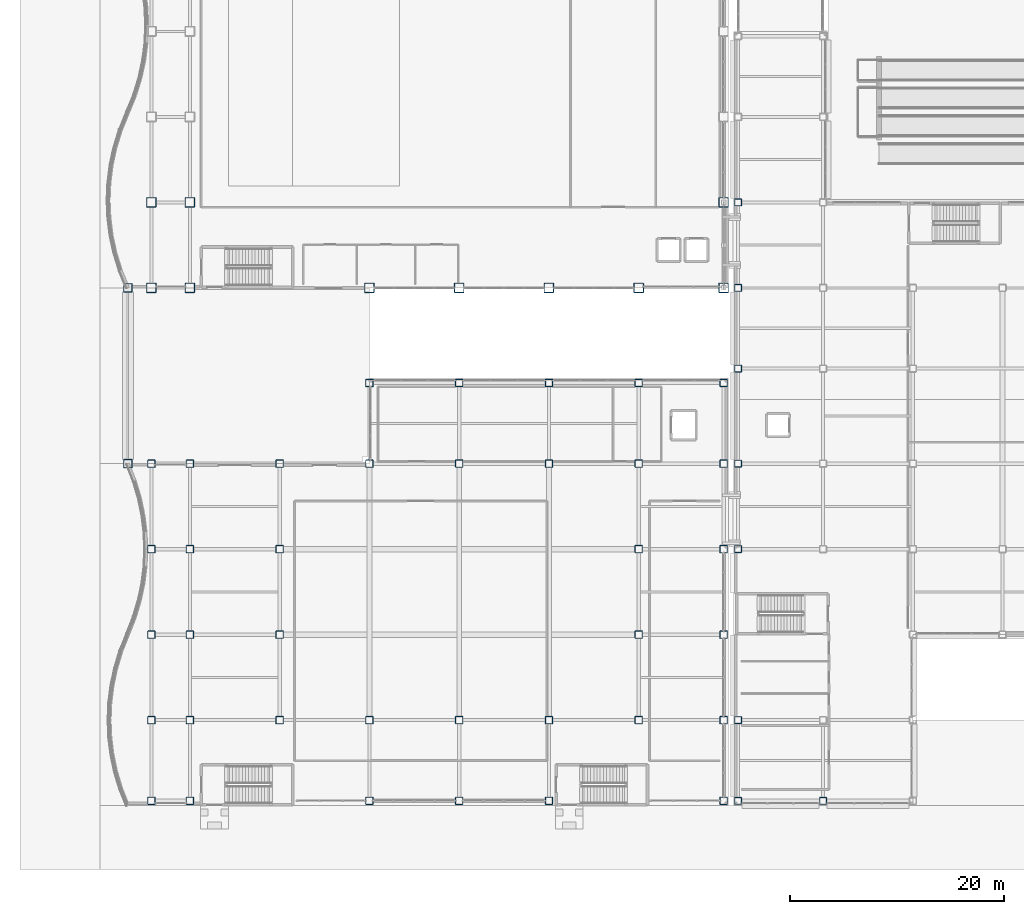
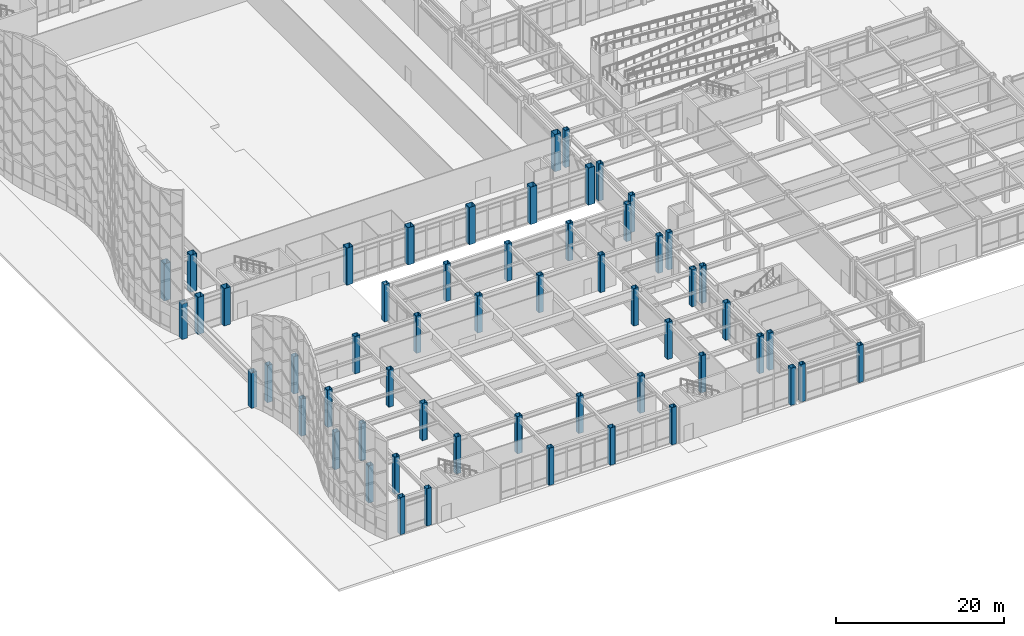
# One storey, part 2 of 165: 57 columns.
"""IFC4 building model written with IfcOpenShell, lengths in metres."""

from ifc_helpers import new_model, si_unit, direction, frame, origin, origin_2d, place, context, subcontext, project, spatial, hollow_rectangle, extrude, material, material_profile, profile_set, type_object, element, save


model = new_model("IFC4")

# Units and contexts
model_context = context("Model", 3, precision=1e-05, world=origin(), true_north=direction((0.0, 1.0)))
body_context = subcontext(model_context, "Body", "Model", "MODEL_VIEW")
ifc_project = project(units=[si_unit("LENGTHUNIT", "METRE"), si_unit("AREAUNIT", "SQUARE_METRE"), si_unit("VOLUMEUNIT", "CUBIC_METRE"), si_unit("PLANEANGLEUNIT", "RADIAN"), si_unit("MASSUNIT", "GRAM", prefix="KILO")], contexts=[model_context])

# Site, building, storey
site_placement = place(None, origin())
site = spatial("IfcSite", under=ifc_project, at=site_placement, CompositionType="ELEMENT")
building_placement = place(site_placement, origin())
building = spatial("IfcBuilding", under=site, at=building_placement, Name="Kazehara Bluff Congress Hotel", CompositionType="ELEMENT")
storey_placement = place(building_placement, origin())
storey = spatial("IfcBuildingStorey", under=building, at=storey_placement, Name="L00", CompositionType="ELEMENT", Elevation=0.0)

# Columns
ifc_material_1 = material(Name="Steel BCR295", Category="steel")
ifc_material_profile_1 = material_profile(ifc_material_1, hollow_rectangle(XDim=0.89990234375, YDim=0.89990234375, WallThickness=0.031982421875, InnerFilletRadius=0.031982421875, OuterFilletRadius=0.06396484375, at=origin_2d()))
ifc_profile_set_1 = profile_set([ifc_material_profile_1], Name="Steel BCR295")
column_type_1 = type_object("IfcColumnType", Name="TP-C-01", PredefinedType="COLUMN", material=ifc_profile_set_1)
for number, where, z_axis, x_axis, name in (
    (1, (4.800048828125, 48.449951171875, 0.0), (0.0, 0.0, 1.0), (1.0, 0.0, 0.0), "L00 mega-column C-01 (4.80,48.45)"),
    (2, (4.800048828125, 56.449951171875, 0.0), (0.0, 0.0, 1.0), (1.0, 0.0, 0.0), "L00 mega-column C-01 (4.80,56.45)"),
    (3, (8.39990234375, 48.449951171875, 0.0), (0.0, 0.0, 1.0), (1.0, 0.0, 0.0), "L00 mega-column C-01 (8.40,48.45)"),
    (4, (8.39990234375, 56.449951171875, 0.0), (0.0, 0.0, 1.0), (1.0, 0.0, 0.0), "L00 mega-column C-01 (8.40,56.45)"),
    (5, (25.199951171875, 48.449951171875, 0.0), (0.0, 0.0, 1.0), (1.0, 0.0, 0.0), "L00 mega-column C-01 (25.20,48.45)"),
    (6, (33.60009765625, 48.449951171875, 0.0), (0.0, 0.0, 1.0), (1.0, 0.0, 0.0), "L00 mega-column C-01 (33.60,48.45)"),
    (7, (42.0, 48.449951171875, 0.0), (0.0, 0.0, 1.0), (1.0, 0.0, 0.0), "L00 mega-column C-01 (42.00,48.45)"),
    (8, (50.39990234375, 48.449951171875, 0.0), (0.0, 0.0, 1.0), (1.0, 0.0, 0.0), "L00 mega-column C-01 (50.40,48.45)"),
    (9, (58.35009765625, 48.449951171875, 0.0), (0.0, 0.0, 1.0), (1.0, 0.0, 0.0), "L00 mega-column C-01 (58.35,48.45)"),
    (10, (58.35009765625, 56.449951171875, 0.0), (0.0, 0.0, 1.0), (1.0, 0.0, 0.0), "L00 mega-column C-01 (58.35,56.45)"),
):
    element("IfcColumn", number, at=place(storey_placement, frame(where, z_axis=z_axis, x_axis=x_axis)), inside=storey, type_object=column_type_1, Name=name, PredefinedType="COLUMN", context=body_context, shape_type="SweptSolid", body=[
        extrude(hollow_rectangle(XDim=0.89990234375, YDim=0.89990234375, WallThickness=0.031982421875, InnerFilletRadius=0.031982421875, OuterFilletRadius=0.06396484375, at=origin_2d()), origin(), (0.0, 0.0, 1.0), 5.39990234375),
    ])
ifc_material_2 = material(Name="Steel BCR295", Category="steel")
ifc_material_profile_2 = material_profile(ifc_material_2, hollow_rectangle(XDim=0.800048828125, YDim=0.800048828125, WallThickness=0.031982421875, InnerFilletRadius=0.031982421875, OuterFilletRadius=0.06396484375, at=origin_2d()))
ifc_profile_set_2 = profile_set([ifc_material_profile_2], Name="Steel BCR295")
column_type_2 = type_object("IfcColumnType", Name="TP-C-02", PredefinedType="COLUMN", material=ifc_profile_set_2)
for number, where, z_axis, x_axis, name in (
    (11, (2.60009765625, 32.0, 0.0), (0.0, 0.0, 1.0), (1.0, 0.0, 0.0), "L00 column C-02 (2.60,32.00)"),
    (12, (2.60009765625, 48.449951171875, 0.0), (0.0, 0.0, 1.0), (1.0, 0.0, 0.0), "L00 column C-02 (2.60,48.45)"),
):
    element("IfcColumn", number, at=place(storey_placement, frame(where, z_axis=z_axis, x_axis=x_axis)), inside=storey, type_object=column_type_2, Name=name, PredefinedType="COLUMN", context=body_context, shape_type="SweptSolid", body=[
        extrude(hollow_rectangle(XDim=0.800048828125, YDim=0.800048828125, WallThickness=0.031982421875, InnerFilletRadius=0.031982421875, OuterFilletRadius=0.06396484375, at=origin_2d()), origin(), (0.0, 0.0, 1.0), 5.14990234375),
    ])
ifc_material_3 = material(Name="Steel BCR295", Category="steel")
ifc_material_profile_3 = material_profile(ifc_material_3, hollow_rectangle(XDim=0.699951171875, YDim=0.699951171875, WallThickness=0.028076171875, InnerFilletRadius=0.028076171875, OuterFilletRadius=0.055908203125, at=origin_2d()))
ifc_profile_set_3 = profile_set([ifc_material_profile_3], Name="Steel BCR295")
column_type_3 = type_object("IfcColumnType", Name="TP-C-03", PredefinedType="COLUMN", material=ifc_profile_set_3)
for number, where, z_axis, x_axis, name in (
    (13, (4.800048828125, 0.449951171875, 0.0), (0.0, 0.0, 1.0), (1.0, 0.0, 0.0), "L00 column C-03 (4.80,0.45)"),
    (14, (4.800048828125, 8.0, 0.0), (0.0, 0.0, 1.0), (1.0, 0.0, 0.0), "L00 column C-03 (4.80,8.00)"),
    (15, (4.800048828125, 16.0, 0.0), (0.0, 0.0, 1.0), (1.0, 0.0, 0.0), "L00 column C-03 (4.80,16.00)"),
    (16, (4.800048828125, 24.0, 0.0), (0.0, 0.0, 1.0), (1.0, 0.0, 0.0), "L00 column C-03 (4.80,24.00)"),
    (17, (4.800048828125, 32.0, 0.0), (0.0, 0.0, 1.0), (1.0, 0.0, 0.0), "L00 column C-03 (4.80,32.00)"),
    (18, (8.39990234375, 0.449951171875, 0.0), (0.0, 0.0, 1.0), (1.0, 0.0, 0.0), "L00 column C-03 (8.40,0.45)"),
    (19, (8.39990234375, 8.0, 0.0), (0.0, 0.0, 1.0), (1.0, 0.0, 0.0), "L00 column C-03 (8.40,8.00)"),
    (20, (8.39990234375, 16.0, 0.0), (0.0, 0.0, 1.0), (1.0, 0.0, 0.0), "L00 column C-03 (8.40,16.00)"),
    (21, (8.39990234375, 24.0, 0.0), (0.0, 0.0, 1.0), (1.0, 0.0, 0.0), "L00 column C-03 (8.40,24.00)"),
    (22, (8.39990234375, 32.0, 0.0), (0.0, 0.0, 1.0), (1.0, 0.0, 0.0), "L00 column C-03 (8.40,32.00)"),
    (23, (16.800048828125, 8.0, 0.0), (0.0, 0.0, 1.0), (1.0, 0.0, 0.0), "L00 column C-03 (16.80,8.00)"),
    (24, (16.800048828125, 16.0, 0.0), (0.0, 0.0, 1.0), (1.0, 0.0, 0.0), "L00 column C-03 (16.80,16.00)"),
    (25, (16.800048828125, 24.0, 0.0), (0.0, 0.0, 1.0), (1.0, 0.0, 0.0), "L00 column C-03 (16.80,24.00)"),
    (26, (16.800048828125, 32.0, 0.0), (0.0, 0.0, 1.0), (1.0, 0.0, 0.0), "L00 column C-03 (16.80,32.00)"),
    (27, (25.199951171875, 0.449951171875, 0.0), (0.0, 0.0, 1.0), (1.0, 0.0, 0.0), "L00 column C-03 (25.20,0.45)"),
    (28, (25.199951171875, 8.0, 0.0), (0.0, 0.0, 1.0), (1.0, 0.0, 0.0), "L00 column C-03 (25.20,8.00)"),
    (29, (25.199951171875, 32.0, 0.0), (0.0, 0.0, 1.0), (1.0, 0.0, 0.0), "L00 column C-03 (25.20,32.00)"),
    (30, (25.199951171875, 39.550048828125, 0.0), (0.0, 0.0, 1.0), (1.0, 0.0, 0.0), "L00 column C-03 (25.20,39.55)"),
    (31, (33.60009765625, 0.449951171875, 0.0), (0.0, 0.0, 1.0), (1.0, 0.0, 0.0), "L00 column C-03 (33.60,0.45)"),
    (32, (33.60009765625, 8.0, 0.0), (0.0, 0.0, 1.0), (1.0, 0.0, 0.0), "L00 column C-03 (33.60,8.00)"),
    (33, (33.60009765625, 32.0, 0.0), (0.0, 0.0, 1.0), (1.0, 0.0, 0.0), "L00 column C-03 (33.60,32.00)"),
    (34, (33.60009765625, 39.550048828125, 0.0), (0.0, 0.0, 1.0), (1.0, 0.0, 0.0), "L00 column C-03 (33.60,39.55)"),
    (35, (42.0, 0.449951171875, 0.0), (0.0, 0.0, 1.0), (1.0, 0.0, 0.0), "L00 column C-03 (42.00,0.45)"),
    (36, (42.0, 8.0, 0.0), (0.0, 0.0, 1.0), (1.0, 0.0, 0.0), "L00 column C-03 (42.00,8.00)"),
    (37, (42.0, 32.0, 0.0), (0.0, 0.0, 1.0), (1.0, 0.0, 0.0), "L00 column C-03 (42.00,32.00)"),
    (38, (42.0, 39.550048828125, 0.0), (0.0, 0.0, 1.0), (1.0, 0.0, 0.0), "L00 column C-03 (42.00,39.55)"),
    (39, (50.39990234375, 8.0, 0.0), (0.0, 0.0, 1.0), (1.0, 0.0, 0.0), "L00 column C-03 (50.40,8.00)"),
    (40, (50.39990234375, 16.0, 0.0), (0.0, 0.0, 1.0), (1.0, 0.0, 0.0), "L00 column C-03 (50.40,16.00)"),
    (41, (50.39990234375, 24.0, 0.0), (0.0, 0.0, 1.0), (1.0, 0.0, 0.0), "L00 column C-03 (50.40,24.00)"),
    (42, (50.39990234375, 32.0, 0.0), (0.0, 0.0, 1.0), (1.0, 0.0, 0.0), "L00 column C-03 (50.40,32.00)"),
    (43, (50.39990234375, 39.550048828125, 0.0), (0.0, 0.0, 1.0), (1.0, 0.0, 0.0), "L00 column C-03 (50.40,39.55)"),
    (44, (58.35009765625, 0.449951171875, 0.0), (0.0, 0.0, 1.0), (1.0, 0.0, 0.0), "L00 column C-03 (58.35,0.45)"),
    (45, (58.35009765625, 8.0, 0.0), (0.0, 0.0, 1.0), (1.0, 0.0, 0.0), "L00 column C-03 (58.35,8.00)"),
    (46, (58.35009765625, 16.0, 0.0), (0.0, 0.0, 1.0), (1.0, 0.0, 0.0), "L00 column C-03 (58.35,16.00)"),
    (47, (58.35009765625, 24.0, 0.0), (0.0, 0.0, 1.0), (1.0, 0.0, 0.0), "L00 column C-03 (58.35,24.00)"),
    (48, (58.35009765625, 32.0, 0.0), (0.0, 0.0, 1.0), (1.0, 0.0, 0.0), "L00 column C-03 (58.35,32.00)"),
    (49, (58.35009765625, 39.550048828125, 0.0), (0.0, 0.0, 1.0), (1.0, 0.0, 0.0), "L00 column C-03 (58.35,39.55)"),
):
    element("IfcColumn", number, at=place(storey_placement, frame(where, z_axis=z_axis, x_axis=x_axis)), inside=storey, type_object=column_type_3, Name=name, PredefinedType="COLUMN", context=body_context, shape_type="SweptSolid", body=[
        extrude(hollow_rectangle(XDim=0.699951171875, YDim=0.699951171875, WallThickness=0.028076171875, InnerFilletRadius=0.028076171875, OuterFilletRadius=0.055908203125, at=origin_2d()), origin(), (0.0, 0.0, 1.0), 5.39990234375),
    ])
ifc_material_4 = material(Name="Steel BCR295", Category="steel")
ifc_material_profile_4 = material_profile(ifc_material_4, hollow_rectangle(XDim=0.64990234375, YDim=0.64990234375, WallThickness=0.02490234375, InnerFilletRadius=0.02490234375, OuterFilletRadius=0.050048828125, at=origin_2d()))
ifc_profile_set_4 = profile_set([ifc_material_profile_4], Name="Steel BCR295")
column_type_4 = type_object("IfcColumnType", Name="TP-C-04", PredefinedType="COLUMN", material=ifc_profile_set_4)
for number, where, z_axis, x_axis, name in (
    (50, (59.699951171875, 0.449951171875, 0.0), (0.0, 0.0, 1.0), (1.0, 0.0, 0.0), "L00 column C-04 (59.70,0.45)"),
    (51, (59.699951171875, 8.0, 0.0), (0.0, 0.0, 1.0), (1.0, 0.0, 0.0), "L00 column C-04 (59.70,8.00)"),
    (52, (59.699951171875, 24.0, 0.0), (0.0, 0.0, 1.0), (1.0, 0.0, 0.0), "L00 column C-04 (59.70,24.00)"),
    (53, (59.699951171875, 32.0, 0.0), (0.0, 0.0, 1.0), (1.0, 0.0, 0.0), "L00 column C-04 (59.70,32.00)"),
    (54, (59.699951171875, 40.89990234375, 0.0), (0.0, 0.0, 1.0), (1.0, 0.0, 0.0), "L00 column C-04 (59.70,40.90)"),
    (55, (59.699951171875, 48.449951171875, 0.0), (0.0, 0.0, 1.0), (1.0, 0.0, 0.0), "L00 column C-04 (59.70,48.45)"),
    (56, (59.699951171875, 56.449951171875, 0.0), (0.0, 0.0, 1.0), (1.0, 0.0, 0.0), "L00 column C-04 (59.70,56.45)"),
    (57, (67.64990234375, 0.449951171875, 0.0), (0.0, 0.0, 1.0), (1.0, 0.0, 0.0), "L00 column C-04 (67.65,0.45)"),
):
    element("IfcColumn", number, at=place(storey_placement, frame(where, z_axis=z_axis, x_axis=x_axis)), inside=storey, type_object=column_type_4, Name=name, PredefinedType="COLUMN", context=body_context, shape_type="SweptSolid", body=[
        extrude(hollow_rectangle(XDim=0.64990234375, YDim=0.64990234375, WallThickness=0.02490234375, InnerFilletRadius=0.02490234375, OuterFilletRadius=0.050048828125, at=origin_2d()), origin(), (0.0, 0.0, 1.0), 5.39990234375),
    ])

save(model, "model.ifc")
